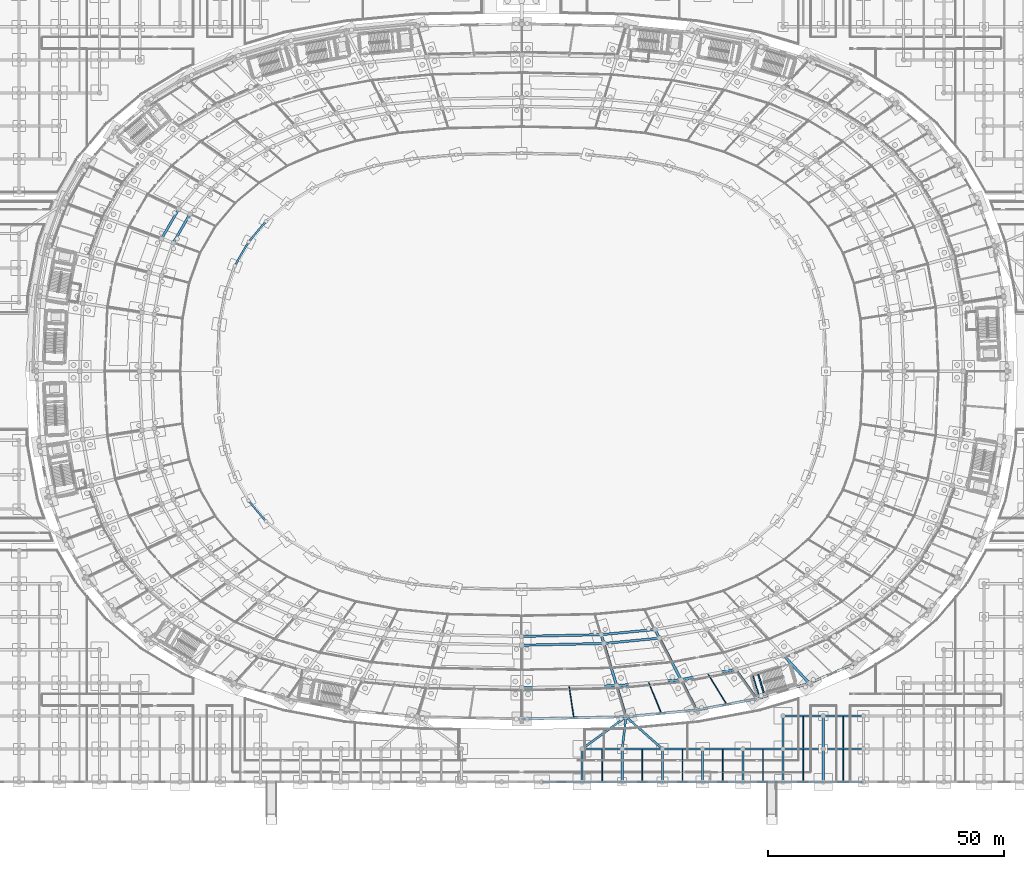
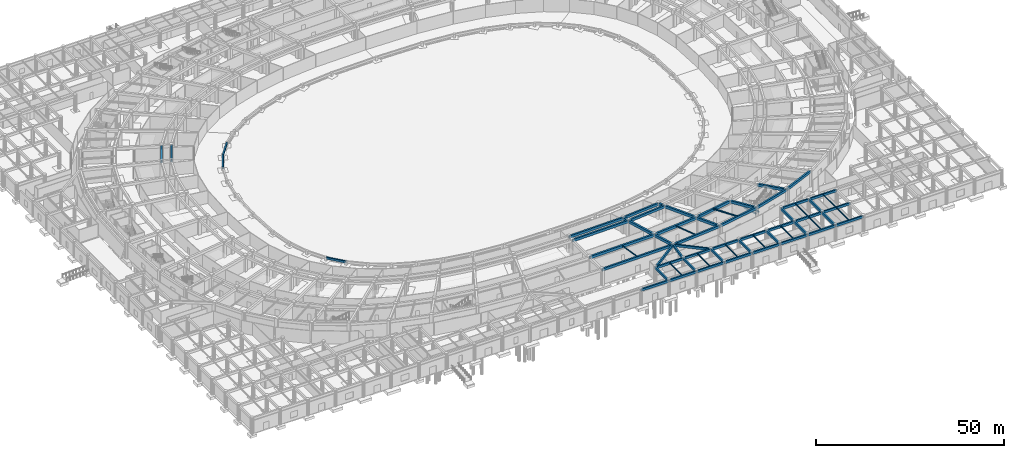
# One storey, part 29 of 88: 68 beams.
"""IFC4 building model written with IfcOpenShell, lengths in metres."""

import ifcopenshell
import ifcopenshell.guid

model = None  # the IFC model being written
_history = None  # IfcOwnerHistory: only IFC2X3 demands one
_inside = {}  # id of a spatial element -> (the spatial element, [elements in it])
_under = {}  # id of a project, library or spatial element -> (it, [spatial elements below it])
_declared = {}  # id of a project -> (the project, [libraries it declares])
_typed = {}  # id of a type object -> (the type object, [elements of that type])
_made_of = {}  # id of a material, layer set ... -> (it, [elements and type objects made of it])


def new_model(schema):
    """Start an empty IFC model of exactly this schema.

    Asked for "IFC4X3", IfcOpenShell would pick the latest addendum, in which some entities
    have other attributes; the version numbers below select the first issue.
    IFC2X3 requires an IfcOwnerHistory on every rooted entity: one is made here for all.
    """
    global model, _history
    if schema == "IFC4X3":
        model = ifcopenshell.file(schema_version=(4, 3, 0, 0))
    else:
        model = ifcopenshell.file(schema=schema)
    _inside.clear()
    _under.clear()
    _declared.clear()
    _typed.clear()
    _made_of.clear()
    _history = None
    if model.schema == "IFC2X3":
        org = make("IfcOrganization", Name="unknown")
        user = make(
            "IfcPersonAndOrganization",
            ThePerson=make("IfcPerson", FamilyName="unknown"),
            TheOrganization=org,
        )
        app = make(
            "IfcApplication",
            ApplicationDeveloper=org,
            Version="unknown",
            ApplicationFullName="unknown",
            ApplicationIdentifier="unknown",
        )
        _history = make(
            "IfcOwnerHistory",
            OwningUser=user,
            OwningApplication=app,
            ChangeAction="ADDED",
            CreationDate=0,
        )
    return model


def make(cls, **values):
    """One entity of the class cls with the attributes given. An attribute that is None is left unset."""
    return model.create_entity(
        cls, **{name: value for name, value in values.items() if value is not None}
    )


def rooted(cls, **values):
    """An entity with a GlobalId (a new one), such as an element, a storey or a relation."""
    return make(cls, GlobalId=ifcopenshell.guid.new(), OwnerHistory=_history, **values)


def si_unit(unit_type, name, prefix=None):
    """IfcSIUnit, for example si_unit("LENGTHUNIT", "METRE", prefix="MILLI")."""
    return make("IfcSIUnit", UnitType=unit_type, Prefix=prefix, Name=name)


def assignment(units):
    """IfcUnitAssignment: the units of a project."""
    return None if units is None else make("IfcUnitAssignment", Units=units)


def point(xyz):
    """IfcCartesianPoint."""
    return None if xyz is None else make("IfcCartesianPoint", Coordinates=xyz)


def direction(xyz):
    """IfcDirection."""
    return None if xyz is None else make("IfcDirection", DirectionRatios=xyz)


def frame(location, z_axis=None, x_axis=None):
    """IfcAxis2Placement3D, a coordinate frame: its origin and axes. An axis left out is left unset."""
    return make(
        "IfcAxis2Placement3D",
        Location=point(location),
        Axis=direction(z_axis),
        RefDirection=direction(x_axis),
    )


def frame_2d(location, x_axis=None):
    """IfcAxis2Placement2D, a coordinate frame in the plane: its origin and x axis."""
    return make(
        "IfcAxis2Placement2D", Location=point(location), RefDirection=direction(x_axis)
    )


def origin():
    """The frame at (0, 0, 0) with its axes left unset."""
    return frame((0.0, 0.0, 0.0))


def origin_2d():
    """The frame at (0, 0) in the plane with its x axis left unset."""
    return frame_2d((0.0, 0.0))


def place(relative_to, where):
    """IfcLocalPlacement: puts the frame where relative to a parent placement (None: the world)."""
    return make(
        "IfcLocalPlacement", PlacementRelTo=relative_to, RelativePlacement=where
    )


def context(
    kind, dimensions, precision=None, world=None, true_north=None, identifier=None
):
    """IfcGeometricRepresentationContext, for example the 3D "Model" context."""
    return make(
        "IfcGeometricRepresentationContext",
        ContextIdentifier=identifier,
        ContextType=kind,
        CoordinateSpaceDimension=dimensions,
        Precision=precision,
        WorldCoordinateSystem=world,
        TrueNorth=true_north,
    )


def subcontext(parent, identifier, kind, view, scale=None):
    """IfcGeometricRepresentationSubContext, for example "Body" below "Model"."""
    return make(
        "IfcGeometricRepresentationSubContext",
        ContextIdentifier=identifier,
        ContextType=kind,
        ParentContext=parent,
        TargetScale=scale,
        TargetView=view,
    )


def project(units=None, contexts=None):
    """IfcProject with its units and contexts."""
    return rooted(
        "IfcProject",
        Name="project",
        RepresentationContexts=contexts,
        UnitsInContext=assignment(units),
    )


def spatial(cls, under=None, at=None, **own):
    """A site, building, storey or space (cls), placed at a placement, below another one or the project."""
    s = rooted(cls, ObjectPlacement=at, **own)
    if under is not None:
        _under.setdefault(under.id(), (under, []))[1].append(s)
    return s


def profile(cls, at=None, kind="AREA", **sizes):
    """A parametric profile (cls). Its sizes go by their IFC names, for example OverallWidth=200.0."""
    return make(cls, ProfileType=kind, Position=at, **sizes)


def rectangle(**sizes):
    """IfcRectangleProfileDef."""
    return profile("IfcRectangleProfileDef", **sizes)


def i_section(**sizes):
    """IfcIShapeProfileDef."""
    return profile("IfcIShapeProfileDef", **sizes)


def extrude(swept, where, along, depth):
    """IfcExtrudedAreaSolid: the profile swept, set in the frame where, extruded along a direction by depth."""
    return make(
        "IfcExtrudedAreaSolid",
        SweptArea=swept,
        Position=where,
        ExtrudedDirection=direction(along),
        Depth=depth,
    )


def shape(context_of_items, identifier, shape_type, items):
    """IfcShapeRepresentation: the items that make up one representation, for example the "Body"."""
    return make(
        "IfcShapeRepresentation",
        ContextOfItems=context_of_items,
        RepresentationIdentifier=identifier,
        RepresentationType=shape_type,
        Items=items,
    )


def material(Name=None, Category=None):
    """IfcMaterial."""
    return make("IfcMaterial", Name=Name, Category=Category)


def material_profile(
    of_material, cross_section, Name=None, Category=None, Priority=None
):
    """IfcMaterialProfile: a cross section and its material."""
    return make(
        "IfcMaterialProfile",
        Name=Name,
        Material=of_material,
        Profile=cross_section,
        Priority=Priority,
        Category=Category,
    )


def profile_set(profiles, Name=None, composite=None):
    """IfcMaterialProfileSet."""
    return make(
        "IfcMaterialProfileSet",
        Name=Name,
        MaterialProfiles=profiles,
        CompositeProfile=composite,
    )


def made_of(thing, what):
    """Note that an element or type object is made of a material, layer set ...; save() writes the relation."""
    if what is not None:
        _made_of.setdefault(what.id(), (what, []))[1].append(thing)
    return thing


def type_object(cls, material=None, **own):
    """A type object (cls), such as IfcWallType, which elements share."""
    return made_of(rooted(cls, **own), material)


def element(
    cls,
    number,
    at=None,
    inside=None,
    cuts=None,
    type_object=None,
    material=None,
    context=None,
    identifier="Body",
    shape_type=None,
    held_by="IfcProductDefinitionShape",
    body=None,
    shapes=None,
    **own,
):
    """One element of the class cls, such as IfcWall. Its Tag is "e" and its number.

    at: its placement. inside: the storey or other place that contains it. cuts: it is an
    opening in that element (IfcRelVoidsElement). A single representation is given by context,
    identifier, shape_type and body (its items); several are given by shapes. held_by: the class
    of the entity that holds the representations. save() writes the other relations.
    """
    e = rooted(cls, Tag="e%d" % number, ObjectPlacement=at, **own)
    if body is not None:
        shapes = [shape(context, identifier, shape_type, body)]
    if shapes is not None:
        e.Representation = make(held_by, Representations=shapes)
    if inside is not None:
        _inside.setdefault(inside.id(), (inside, []))[1].append(e)
    if cuts is not None:
        rooted(
            "IfcRelVoidsElement", RelatingBuildingElement=cuts, RelatedOpeningElement=e
        )
    if type_object is not None:
        _typed.setdefault(type_object.id(), (type_object, []))[1].append(e)
    return made_of(e, material)


def aggregate(whole, parts):
    """IfcRelAggregates: a whole, such as a stair, and the parts it consists of."""
    return rooted("IfcRelAggregates", RelatingObject=whole, RelatedObjects=parts)


def save(model, path):
    """Write the relations noted so far, then the file.

    IfcRelAggregates (storeys below a building ...), IfcRelContainedInSpatialStructure (elements
    in a storey), IfcRelDefinesByType, IfcRelAssociatesMaterial and IfcRelDeclares: one each for
    every whole, place, type object, material and project.
    """
    for whole, parts in _under.values():
        aggregate(whole, parts)
    for where, things in _inside.values():
        rooted(
            "IfcRelContainedInSpatialStructure",
            RelatedElements=things,
            RelatingStructure=where,
        )
    for kind, things in _typed.values():
        rooted("IfcRelDefinesByType", RelatedObjects=things, RelatingType=kind)
    for what, things in _made_of.values():
        rooted("IfcRelAssociatesMaterial", RelatedObjects=things, RelatingMaterial=what)
    for by, libraries in _declared.values():
        rooted("IfcRelDeclares", RelatingContext=by, RelatedDefinitions=libraries)
    model.write(path)


model = new_model("IFC4")

# Units and contexts
model_context = context("Model", 3, precision=1e-05, world=origin(), true_north=direction((0.0, 1.0)))
body_context = subcontext(model_context, "Body", "Model", "MODEL_VIEW")
ifc_project = project(units=[si_unit("LENGTHUNIT", "METRE"), si_unit("AREAUNIT", "SQUARE_METRE"), si_unit("VOLUMEUNIT", "CUBIC_METRE"), si_unit("PLANEANGLEUNIT", "RADIAN"), si_unit("MASSUNIT", "GRAM", prefix="KILO")], contexts=[model_context])

# Site, building, storey
site_placement = place(None, origin())
site = spatial("IfcSite", under=ifc_project, at=site_placement, CompositionType="ELEMENT")
building_placement = place(site_placement, origin())
building = spatial("IfcBuilding", under=site, at=building_placement, Name="Mphavela Belvedere Stadium", CompositionType="ELEMENT")
storey_placement = place(building_placement, origin())
storey = spatial("IfcBuildingStorey", under=building, at=storey_placement, Name="L00", CompositionType="ELEMENT", Elevation=0.0)

# Beams
ifc_material_1 = material(Name="Steel S355", Category="steel")
ifc_material_profile_1 = material_profile(ifc_material_1, i_section(OverallWidth=0.169921875, OverallDepth=0.360107421875, WebThickness=0.008056640625, FlangeThickness=0.0126953125, at=origin_2d()), Name="IPE 360")
ifc_profile_set_1 = profile_set([ifc_material_profile_1], Name="Steel S355")
beam_type_1 = type_object("IfcBeamType", Name="BM-JOIST-IPE360", PredefinedType="JOIST", material=ifc_profile_set_1)
beam_1_placement = place(storey_placement, frame((125.06640625, 20.1494140625, 4.969970703125), z_axis=(0.14889470473, -0.988853056274, 0.0), x_axis=(0.988853056274, 0.14889470473, 0.0)))
element("IfcBeam", 1, at=beam_1_placement, inside=storey, type_object=beam_type_1, Name="Concourse floor joist L00-37", PredefinedType="JOIST", context=body_context, shape_type="SweptSolid", body=[
    extrude(i_section(OverallWidth=0.169921875, OverallDepth=0.360107421875, WebThickness=0.008056640625, FlangeThickness=0.0126953125, at=origin_2d()), origin(), (0.0, 0.0, 1.0), 6.655517578125),
])
beam_2_placement = place(storey_placement, frame((154.544189453125, 22.743408203125, 4.969970703125), z_axis=(0.524121267204, -0.851643644528, 0.0), x_axis=(0.851643644528, 0.524121267204, 0.0)))
element("IfcBeam", 2, at=beam_2_placement, inside=storey, type_object=beam_type_1, Name="Concourse floor joist L00-39", PredefinedType="JOIST", context=body_context, shape_type="SweptSolid", body=[
    extrude(i_section(OverallWidth=0.169921875, OverallDepth=0.360107421875, WebThickness=0.008056640625, FlangeThickness=0.0126953125, at=origin_2d()), origin(), (0.0, 0.0, 1.0), 7.42724609375),
])
for number, where, z_axis, x_axis, name in (
    (3, (132.037109375, 0.22509765625, 4.9599609375), (0.0, 1.0, 0.0), (-1.0, 0.0, 0.0), "South Axial Triumphal Peristyle Portico secondary joist L00 16-1"),
    (4, (140.555419921875, 0.22509765625, 4.9599609375), (0.0, 1.0, 0.0), (-1.0, 0.0, 0.0), "South Axial Triumphal Peristyle Portico secondary joist L00 17-1"),
    (5, (149.073974609375, 0.22509765625, 4.9599609375), (0.0, 1.0, 0.0), (-1.0, 0.0, 0.0), "South Axial Triumphal Peristyle Portico secondary joist L00 18-1"),
    (6, (157.592529296875, 0.22509765625, 4.9599609375), (0.0, 1.0, 0.0), (-1.0, 0.0, 0.0), "South Axial Triumphal Peristyle Portico secondary joist L00 19-1"),
    (7, (166.111083984375, 0.22509765625, 4.9599609375), (0.0, 1.0, 0.0), (-1.0, 0.0, 0.0), "South Axial Triumphal Peristyle Portico secondary joist L00 20-1"),
    (8, (174.62939453125, 0.22509765625, 4.9599609375), (0.0, 1.0, 0.0), (-1.0, 0.0, 0.0), "South Axial Triumphal Peristyle Portico secondary joist L00 21-1"),
    (9, (174.62939453125, 7.22509765625, 4.9599609375), (0.0, 1.0, 0.0), (-1.0, 0.0, 0.0), "South Axial Triumphal Peristyle Portico secondary joist L00 21-2"),
    (10, (183.14794921875, 0.22509765625, 4.9599609375), (0.0, 1.0, 0.0), (-1.0, 0.0, 0.0), "South Axial Triumphal Peristyle Portico secondary joist L00 22-1"),
    (11, (183.14794921875, 7.22509765625, 4.9599609375), (0.0, 1.0, 0.0), (-1.0, 0.0, 0.0), "South Axial Triumphal Peristyle Portico secondary joist L00 22-2"),
):
    element("IfcBeam", number, at=place(storey_placement, frame(where, z_axis=z_axis, x_axis=x_axis)), inside=storey, type_object=beam_type_1, Name=name, PredefinedType="JOIST", context=body_context, shape_type="SweptSolid", body=[
        extrude(i_section(OverallWidth=0.169921875, OverallDepth=0.360107421875, WebThickness=0.008056640625, FlangeThickness=0.0126953125, at=origin_2d()), origin(), (0.0, 0.0, 1.0), 6.5498046875),
    ])
ifc_material_2 = material(Name="Steel S355", Category="steel")
ifc_material_profile_2 = material_profile(ifc_material_2, i_section(OverallWidth=0.179931640625, OverallDepth=0.39990234375, WebThickness=0.008544921875, FlangeThickness=0.013427734375, at=origin_2d()), Name="IPE 400")
ifc_profile_set_2 = profile_set([ifc_material_profile_2], Name="Steel S355")
beam_type_2 = type_object("IfcBeamType", Name="BM-JOIST-IPE400", PredefinedType="JOIST", material=ifc_profile_set_2)
beam_3_placement = place(storey_placement, frame((141.94140625, 21.015380859375, 4.949951171875), z_axis=(0.378004122754, -0.925803911841, 0.0), x_axis=(0.925803911841, 0.378004122754, 0.0)))
element("IfcBeam", 12, at=beam_3_placement, inside=storey, type_object=beam_type_2, Name="Concourse floor joist L00-38", PredefinedType="JOIST", context=body_context, shape_type="SweptSolid", body=[
    extrude(i_section(OverallWidth=0.179931640625, OverallDepth=0.39990234375, WebThickness=0.008544921875, FlangeThickness=0.013427734375, at=origin_2d()), origin(), (0.0, 0.0, 1.0), 7.0166015625),
])
ifc_material_3 = material(Name="Concrete C40/50", Category="concrete")
ifc_material_profile_3 = material_profile(ifc_material_3, rectangle(XDim=0.300048828125, YDim=0.449951171875, at=origin_2d()), Name="RC 300x450")
ifc_profile_set_3 = profile_set([ifc_material_profile_3], Name="Concrete C40/50")
beam_type_3 = type_object("IfcBeamType", Name="BM-RC300x450", PredefinedType="BEAM", material=ifc_profile_set_3)
beam_4_placement = place(storey_placement, frame((165.05419921875, 23.027099609375, 2.27490234375), z_axis=(0.284510445837, -0.958672940168, 0.0), x_axis=(0.958672940168, 0.284510445837, 0.0)))
element("IfcBeam", 13, at=beam_4_placement, inside=storey, type_object=beam_type_3, Name="Core P04 landing trimmer beam L00-1", PredefinedType="BEAM", context=body_context, shape_type="SweptSolid", body=[
    extrude(rectangle(XDim=0.300048828125, YDim=0.449951171875, at=origin_2d()), origin(), (0.0, 0.0, 1.0), 4.469970703125),
])
beam_5_placement = place(storey_placement, frame((163.90380859375, 22.685791015625, 2.27490234375), z_axis=(0.284495549112, -0.958677361022, 0.0), x_axis=(0.958677361022, 0.284495549112, 0.0)))
element("IfcBeam", 14, at=beam_5_placement, inside=storey, type_object=beam_type_3, Name="Core P04 landing trimmer beam L00-2", PredefinedType="BEAM", context=body_context, shape_type="SweptSolid", body=[
    extrude(rectangle(XDim=0.300048828125, YDim=0.449951171875, at=origin_2d()), origin(), (0.0, 0.0, 1.0), 4.47021484375),
])
ifc_material_4 = material(Name="Concrete C40/50", Category="concrete")
ifc_material_profile_4 = material_profile(ifc_material_4, rectangle(XDim=0.39990234375, YDim=0.64990234375, at=origin_2d()), Name="RC 400x650")
ifc_profile_set_4 = profile_set([ifc_material_profile_4], Name="Concrete C40/50")
beam_type_4 = type_object("IfcBeamType", Name="BM-RC400x650", PredefinedType="BEAM", material=ifc_profile_set_4)
beam_6_placement = place(storey_placement, frame((60.8349609375, 118.77783203125, 0.824951171875), z_axis=(-0.645177508065, -0.764032710744, 0.0), x_axis=(0.764032710744, -0.645177508065, 0.0)))
element("IfcBeam", 15, at=beam_6_placement, inside=storey, type_object=beam_type_4, Name="Lower tier plinth ring beam 20", PredefinedType="BEAM", context=body_context, shape_type="SweptSolid", body=[
    extrude(rectangle(XDim=0.39990234375, YDim=0.64990234375, at=origin_2d()), origin(), (0.0, 0.0, 1.0), 5.7412109375),
])
beam_7_placement = place(storey_placement, frame((57.130859375, 114.391357421875, 0.824951171875), z_axis=(-0.500538549493, -0.86571424874, 0.0), x_axis=(0.86571424874, -0.500538549493, 0.0)))
element("IfcBeam", 16, at=beam_7_placement, inside=storey, type_object=beam_type_4, Name="Lower tier plinth ring beam 21", PredefinedType="BEAM", context=body_context, shape_type="SweptSolid", body=[
    extrude(rectangle(XDim=0.39990234375, YDim=0.64990234375, at=origin_2d()), origin(), (0.0, 0.0, 1.0), 5.7822265625),
])
beam_8_placement = place(storey_placement, frame((57.130859375, 59.608642578125, 0.824951171875), z_axis=(0.645177508065, -0.764032710744, 0.0), x_axis=(0.764032710744, 0.645177508065, 0.0)))
element("IfcBeam", 17, at=beam_8_placement, inside=storey, type_object=beam_type_4, Name="Lower tier plinth ring beam 29", PredefinedType="BEAM", context=body_context, shape_type="SweptSolid", body=[
    extrude(rectangle(XDim=0.39990234375, YDim=0.64990234375, at=origin_2d()), origin(), (0.0, 0.0, 1.0), 5.7412109375),
])
ifc_material_5 = material(Name="Concrete C40/50", Category="concrete")
ifc_material_profile_5 = material_profile(ifc_material_5, rectangle(XDim=0.449951171875, YDim=0.75, at=origin_2d()), Name="RC 450x750")
ifc_profile_set_5 = profile_set([ifc_material_profile_5], Name="Concrete C40/50")
beam_type_5 = type_object("IfcBeamType", Name="BM-RC450x750", PredefinedType="BEAM", material=ifc_profile_set_5)
beam_9_placement = place(storey_placement, frame((119.259033203125, 0.0, 4.764892578125), z_axis=(1.0, 0.0, 0.0), x_axis=(0.0, 1.0, 0.0)))
element("IfcBeam", 18, at=beam_9_placement, inside=storey, type_object=beam_type_5, Name="South Axial Triumphal Peristyle Portico entablature beam X L00 15-1", PredefinedType="BEAM", context=body_context, shape_type="SweptSolid", body=[
    extrude(rectangle(XDim=0.449951171875, YDim=0.75, at=origin_2d()), origin(), (0.0, 0.0, 1.0), 8.51904296875),
])
beam_10_placement = place(storey_placement, frame((127.778076171875, 0.0, 4.764892578125), z_axis=(1.0, 0.0, 0.0), x_axis=(0.0, 1.0, 0.0)))
element("IfcBeam", 19, at=beam_10_placement, inside=storey, type_object=beam_type_5, Name="South Axial Triumphal Peristyle Portico entablature beam X L00 16-1", PredefinedType="BEAM", context=body_context, shape_type="SweptSolid", body=[
    extrude(rectangle(XDim=0.449951171875, YDim=0.75, at=origin_2d()), origin(), (0.0, 0.0, 1.0), 8.517822265625),
])
beam_11_placement = place(storey_placement, frame((127.778076171875, 0.0, 4.764892578125), z_axis=(0.0, 1.0, 0.0), x_axis=(-1.0, 0.0, 0.0)))
element("IfcBeam", 20, at=beam_11_placement, inside=storey, type_object=beam_type_5, Name="South Axial Triumphal Peristyle Portico entablature beam Y L00 16-1", PredefinedType="BEAM", context=body_context, shape_type="SweptSolid", body=[
    extrude(rectangle(XDim=0.449951171875, YDim=0.75, at=origin_2d()), origin(), (0.0, 0.0, 1.0), 7.0),
])
beam_12_placement = place(storey_placement, frame((127.778076171875, 7.0, 4.764892578125), z_axis=(1.0, 0.0, 0.0), x_axis=(0.0, 1.0, 0.0)))
element("IfcBeam", 21, at=beam_12_placement, inside=storey, type_object=beam_type_5, Name="South Axial Triumphal Peristyle Portico entablature beam X L00 16-2", PredefinedType="BEAM", context=body_context, shape_type="SweptSolid", body=[
    extrude(rectangle(XDim=0.449951171875, YDim=0.75, at=origin_2d()), origin(), (0.0, 0.0, 1.0), 8.517822265625),
])
beam_13_placement = place(storey_placement, frame((136.2958984375, 0.0, 4.764892578125), z_axis=(1.0, 0.0, 0.0), x_axis=(0.0, 1.0, 0.0)))
element("IfcBeam", 22, at=beam_13_placement, inside=storey, type_object=beam_type_5, Name="South Axial Triumphal Peristyle Portico entablature beam X L00 17-1", PredefinedType="BEAM", context=body_context, shape_type="SweptSolid", body=[
    extrude(rectangle(XDim=0.449951171875, YDim=0.75, at=origin_2d()), origin(), (0.0, 0.0, 1.0), 8.51904296875),
])
beam_14_placement = place(storey_placement, frame((136.2958984375, 0.0, 4.764892578125), z_axis=(0.0, 1.0, 0.0), x_axis=(-1.0, 0.0, 0.0)))
element("IfcBeam", 23, at=beam_14_placement, inside=storey, type_object=beam_type_5, Name="South Axial Triumphal Peristyle Portico entablature beam Y L00 17-1", PredefinedType="BEAM", context=body_context, shape_type="SweptSolid", body=[
    extrude(rectangle(XDim=0.449951171875, YDim=0.75, at=origin_2d()), origin(), (0.0, 0.0, 1.0), 7.0),
])
beam_15_placement = place(storey_placement, frame((136.2958984375, 7.0, 4.764892578125), z_axis=(1.0, 0.0, 0.0), x_axis=(0.0, 1.0, 0.0)))
element("IfcBeam", 24, at=beam_15_placement, inside=storey, type_object=beam_type_5, Name="South Axial Triumphal Peristyle Portico entablature beam X L00 17-2", PredefinedType="BEAM", context=body_context, shape_type="SweptSolid", body=[
    extrude(rectangle(XDim=0.449951171875, YDim=0.75, at=origin_2d()), origin(), (0.0, 0.0, 1.0), 8.51904296875),
])
beam_16_placement = place(storey_placement, frame((144.81494140625, 0.0, 4.764892578125), z_axis=(1.0, 0.0, 0.0), x_axis=(0.0, 1.0, 0.0)))
element("IfcBeam", 25, at=beam_16_placement, inside=storey, type_object=beam_type_5, Name="South Axial Triumphal Peristyle Portico entablature beam X L00 18-1", PredefinedType="BEAM", context=body_context, shape_type="SweptSolid", body=[
    extrude(rectangle(XDim=0.449951171875, YDim=0.75, at=origin_2d()), origin(), (0.0, 0.0, 1.0), 8.51806640625),
])
beam_17_placement = place(storey_placement, frame((144.81494140625, 0.0, 4.764892578125), z_axis=(0.0, 1.0, 0.0), x_axis=(-1.0, 0.0, 0.0)))
element("IfcBeam", 26, at=beam_17_placement, inside=storey, type_object=beam_type_5, Name="South Axial Triumphal Peristyle Portico entablature beam Y L00 18-1", PredefinedType="BEAM", context=body_context, shape_type="SweptSolid", body=[
    extrude(rectangle(XDim=0.449951171875, YDim=0.75, at=origin_2d()), origin(), (0.0, 0.0, 1.0), 7.0),
])
beam_18_placement = place(storey_placement, frame((144.81494140625, 7.0, 4.764892578125), z_axis=(1.0, 0.0, 0.0), x_axis=(0.0, 1.0, 0.0)))
element("IfcBeam", 27, at=beam_18_placement, inside=storey, type_object=beam_type_5, Name="South Axial Triumphal Peristyle Portico entablature beam X L00 18-2", PredefinedType="BEAM", context=body_context, shape_type="SweptSolid", body=[
    extrude(rectangle(XDim=0.449951171875, YDim=0.75, at=origin_2d()), origin(), (0.0, 0.0, 1.0), 8.51806640625),
])
beam_19_placement = place(storey_placement, frame((153.3330078125, 0.0, 4.764892578125), z_axis=(1.0, 0.0, 0.0), x_axis=(0.0, 1.0, 0.0)))
element("IfcBeam", 28, at=beam_19_placement, inside=storey, type_object=beam_type_5, Name="South Axial Triumphal Peristyle Portico entablature beam X L00 19-1", PredefinedType="BEAM", context=body_context, shape_type="SweptSolid", body=[
    extrude(rectangle(XDim=0.449951171875, YDim=0.75, at=origin_2d()), origin(), (0.0, 0.0, 1.0), 8.51904296875),
])
beam_20_placement = place(storey_placement, frame((153.3330078125, 0.0, 4.764892578125), z_axis=(0.0, 1.0, 0.0), x_axis=(-1.0, 0.0, 0.0)))
element("IfcBeam", 29, at=beam_20_placement, inside=storey, type_object=beam_type_5, Name="South Axial Triumphal Peristyle Portico entablature beam Y L00 19-1", PredefinedType="BEAM", context=body_context, shape_type="SweptSolid", body=[
    extrude(rectangle(XDim=0.449951171875, YDim=0.75, at=origin_2d()), origin(), (0.0, 0.0, 1.0), 7.0),
])
beam_21_placement = place(storey_placement, frame((153.3330078125, 7.0, 4.764892578125), z_axis=(1.0, 0.0, 0.0), x_axis=(0.0, 1.0, 0.0)))
element("IfcBeam", 30, at=beam_21_placement, inside=storey, type_object=beam_type_5, Name="South Axial Triumphal Peristyle Portico entablature beam X L00 19-2", PredefinedType="BEAM", context=body_context, shape_type="SweptSolid", body=[
    extrude(rectangle(XDim=0.449951171875, YDim=0.75, at=origin_2d()), origin(), (0.0, 0.0, 1.0), 8.51904296875),
])
beam_22_placement = place(storey_placement, frame((161.85205078125, 0.0, 4.764892578125), z_axis=(1.0, 0.0, 0.0), x_axis=(0.0, 1.0, 0.0)))
element("IfcBeam", 31, at=beam_22_placement, inside=storey, type_object=beam_type_5, Name="South Axial Triumphal Peristyle Portico entablature beam X L00 20-1", PredefinedType="BEAM", context=body_context, shape_type="SweptSolid", body=[
    extrude(rectangle(XDim=0.449951171875, YDim=0.75, at=origin_2d()), origin(), (0.0, 0.0, 1.0), 8.51806640625),
])
beam_23_placement = place(storey_placement, frame((161.85205078125, 0.0, 4.764892578125), z_axis=(0.0, 1.0, 0.0), x_axis=(-1.0, 0.0, 0.0)))
element("IfcBeam", 32, at=beam_23_placement, inside=storey, type_object=beam_type_5, Name="South Axial Triumphal Peristyle Portico entablature beam Y L00 20-1", PredefinedType="BEAM", context=body_context, shape_type="SweptSolid", body=[
    extrude(rectangle(XDim=0.449951171875, YDim=0.75, at=origin_2d()), origin(), (0.0, 0.0, 1.0), 7.0),
])
beam_24_placement = place(storey_placement, frame((161.85205078125, 7.0, 4.764892578125), z_axis=(1.0, 0.0, 0.0), x_axis=(0.0, 1.0, 0.0)))
element("IfcBeam", 33, at=beam_24_placement, inside=storey, type_object=beam_type_5, Name="South Axial Triumphal Peristyle Portico entablature beam X L00 20-2", PredefinedType="BEAM", context=body_context, shape_type="SweptSolid", body=[
    extrude(rectangle(XDim=0.449951171875, YDim=0.75, at=origin_2d()), origin(), (0.0, 0.0, 1.0), 8.51806640625),
])
beam_25_placement = place(storey_placement, frame((170.3701171875, 0.0, 4.764892578125), z_axis=(1.0, 0.0, 0.0), x_axis=(0.0, 1.0, 0.0)))
element("IfcBeam", 34, at=beam_25_placement, inside=storey, type_object=beam_type_5, Name="South Axial Triumphal Peristyle Portico entablature beam X L00 21-1", PredefinedType="BEAM", context=body_context, shape_type="SweptSolid", body=[
    extrude(rectangle(XDim=0.449951171875, YDim=0.75, at=origin_2d()), origin(), (0.0, 0.0, 1.0), 8.518798828125),
])
beam_26_placement = place(storey_placement, frame((170.3701171875, 0.0, 4.764892578125), z_axis=(0.0, 1.0, 0.0), x_axis=(-1.0, 0.0, 0.0)))
element("IfcBeam", 35, at=beam_26_placement, inside=storey, type_object=beam_type_5, Name="South Axial Triumphal Peristyle Portico entablature beam Y L00 21-1", PredefinedType="BEAM", context=body_context, shape_type="SweptSolid", body=[
    extrude(rectangle(XDim=0.449951171875, YDim=0.75, at=origin_2d()), origin(), (0.0, 0.0, 1.0), 7.0),
])
beam_27_placement = place(storey_placement, frame((170.3701171875, 7.0, 4.764892578125), z_axis=(1.0, 0.0, 0.0), x_axis=(0.0, 1.0, 0.0)))
element("IfcBeam", 36, at=beam_27_placement, inside=storey, type_object=beam_type_5, Name="South Axial Triumphal Peristyle Portico entablature beam X L00 21-2", PredefinedType="BEAM", context=body_context, shape_type="SweptSolid", body=[
    extrude(rectangle(XDim=0.449951171875, YDim=0.75, at=origin_2d()), origin(), (0.0, 0.0, 1.0), 8.518798828125),
])
beam_28_placement = place(storey_placement, frame((170.3701171875, 7.0, 4.764892578125), z_axis=(0.0, 1.0, 0.0), x_axis=(-1.0, 0.0, 0.0)))
element("IfcBeam", 37, at=beam_28_placement, inside=storey, type_object=beam_type_5, Name="South Axial Triumphal Peristyle Portico entablature beam Y L00 21-2", PredefinedType="BEAM", context=body_context, shape_type="SweptSolid", body=[
    extrude(rectangle(XDim=0.449951171875, YDim=0.75, at=origin_2d()), origin(), (0.0, 0.0, 1.0), 7.0),
])
beam_29_placement = place(storey_placement, frame((170.3701171875, 14.0, 4.764892578125), z_axis=(1.0, 0.0, 0.0), x_axis=(0.0, 1.0, 0.0)))
element("IfcBeam", 38, at=beam_29_placement, inside=storey, type_object=beam_type_5, Name="South Axial Triumphal Peristyle Portico entablature beam X L00 21-3", PredefinedType="BEAM", context=body_context, shape_type="SweptSolid", body=[
    extrude(rectangle(XDim=0.449951171875, YDim=0.75, at=origin_2d()), origin(), (0.0, 0.0, 1.0), 8.518798828125),
])
beam_30_placement = place(storey_placement, frame((178.888916015625, 0.0, 4.764892578125), z_axis=(1.0, 0.0, 0.0), x_axis=(0.0, 1.0, 0.0)))
element("IfcBeam", 39, at=beam_30_placement, inside=storey, type_object=beam_type_5, Name="South Axial Triumphal Peristyle Portico entablature beam X L00 22-1", PredefinedType="BEAM", context=body_context, shape_type="SweptSolid", body=[
    extrude(rectangle(XDim=0.449951171875, YDim=0.75, at=origin_2d()), origin(), (0.0, 0.0, 1.0), 8.51806640625),
])
beam_31_placement = place(storey_placement, frame((178.888916015625, 0.0, 4.764892578125), z_axis=(0.0, 1.0, 0.0), x_axis=(-1.0, 0.0, 0.0)))
element("IfcBeam", 40, at=beam_31_placement, inside=storey, type_object=beam_type_5, Name="South Axial Triumphal Peristyle Portico entablature beam Y L00 22-1", PredefinedType="BEAM", context=body_context, shape_type="SweptSolid", body=[
    extrude(rectangle(XDim=0.449951171875, YDim=0.75, at=origin_2d()), origin(), (0.0, 0.0, 1.0), 7.0),
])
beam_32_placement = place(storey_placement, frame((178.888916015625, 7.0, 4.764892578125), z_axis=(1.0, 0.0, 0.0), x_axis=(0.0, 1.0, 0.0)))
element("IfcBeam", 41, at=beam_32_placement, inside=storey, type_object=beam_type_5, Name="South Axial Triumphal Peristyle Portico entablature beam X L00 22-2", PredefinedType="BEAM", context=body_context, shape_type="SweptSolid", body=[
    extrude(rectangle(XDim=0.449951171875, YDim=0.75, at=origin_2d()), origin(), (0.0, 0.0, 1.0), 8.51806640625),
])
beam_33_placement = place(storey_placement, frame((178.888916015625, 7.0, 4.764892578125), z_axis=(0.0, 1.0, 0.0), x_axis=(-1.0, 0.0, 0.0)))
element("IfcBeam", 42, at=beam_33_placement, inside=storey, type_object=beam_type_5, Name="South Axial Triumphal Peristyle Portico entablature beam Y L00 22-2", PredefinedType="BEAM", context=body_context, shape_type="SweptSolid", body=[
    extrude(rectangle(XDim=0.449951171875, YDim=0.75, at=origin_2d()), origin(), (0.0, 0.0, 1.0), 7.0),
])
beam_34_placement = place(storey_placement, frame((178.888916015625, 14.0, 4.764892578125), z_axis=(1.0, 0.0, 0.0), x_axis=(0.0, 1.0, 0.0)))
element("IfcBeam", 43, at=beam_34_placement, inside=storey, type_object=beam_type_5, Name="South Axial Triumphal Peristyle Portico entablature beam X L00 22-3", PredefinedType="BEAM", context=body_context, shape_type="SweptSolid", body=[
    extrude(rectangle(XDim=0.449951171875, YDim=0.75, at=origin_2d()), origin(), (0.0, 0.0, 1.0), 8.51806640625),
])
beam_35_placement = place(storey_placement, frame((127.778076171875, 7.0, 4.764892578125), z_axis=(0.808075844415, 0.589078457994, 0.0), x_axis=(-0.589078457994, 0.808075844415, 0.0)))
element("IfcBeam", 44, at=beam_35_placement, inside=storey, type_object=beam_type_5, Name="South Axial Triumphal Peristyle Portico bowl link girder L00-2", PredefinedType="BEAM", context=body_context, shape_type="SweptSolid", body=[
    extrude(rectangle(XDim=0.449951171875, YDim=0.75, at=origin_2d()), origin(), (0.0, 0.0, 1.0), 11.553955078125),
])
beam_36_placement = place(storey_placement, frame((136.2958984375, 7.0, 4.764892578125), z_axis=(0.119413444072, 0.99284461492, 0.0), x_axis=(-0.99284461492, 0.119413444072, 0.0)))
element("IfcBeam", 45, at=beam_36_placement, inside=storey, type_object=beam_type_5, Name="South Axial Triumphal Peristyle Portico bowl link girder L00-4", PredefinedType="BEAM", context=body_context, shape_type="SweptSolid", body=[
    extrude(rectangle(XDim=0.449951171875, YDim=0.75, at=origin_2d()), origin(), (0.0, 0.0, 1.0), 6.855224609375),
])
beam_37_placement = place(storey_placement, frame((144.81494140625, 7.0, 4.764892578125), z_axis=(-0.749275353375, 0.662258593621, 0.0), x_axis=(-0.662258593621, -0.749275353375, 0.0)))
element("IfcBeam", 46, at=beam_37_placement, inside=storey, type_object=beam_type_5, Name="South Axial Triumphal Peristyle Portico bowl link girder L00-6", PredefinedType="BEAM", context=body_context, shape_type="SweptSolid", body=[
    extrude(rectangle(XDim=0.449951171875, YDim=0.75, at=origin_2d()), origin(), (0.0, 0.0, 1.0), 10.277099609375),
])
ifc_material_6 = material(Name="Concrete C40/50", Category="concrete")
ifc_material_profile_6 = material_profile(ifc_material_6, rectangle(XDim=0.5, YDim=0.800048828125, at=origin_2d()), Name="RC 500x800")
ifc_profile_set_6 = profile_set([ifc_material_profile_6], Name="Concrete C40/50")
beam_type_6 = type_object("IfcBeamType", Name="BM-RC500x800", PredefinedType="BEAM", material=ifc_profile_set_6)
beam_38_placement = place(storey_placement, frame((44.68701171875, 120.281494140625, 4.75), z_axis=(-0.500559513075, -0.86570212768, 0.0), x_axis=(0.86570212768, -0.500559513075, 0.0)))
element("IfcBeam", 47, at=beam_38_placement, inside=storey, type_object=beam_type_6, Name="Circumferential girder L00 R1-21", PredefinedType="BEAM", context=body_context, shape_type="SweptSolid", body=[
    extrude(rectangle(XDim=0.5, YDim=0.800048828125, at=origin_2d()), origin(), (0.0, 0.0, 1.0), 7.02587890625),
])
beam_39_placement = place(storey_placement, frame((42.33740234375, 121.393798828125, 4.75), z_axis=(-0.500568314135, -0.86569703874, 0.0), x_axis=(0.86569703874, -0.500568314135, 0.0)))
element("IfcBeam", 48, at=beam_39_placement, inside=storey, type_object=beam_type_6, Name="Circumferential girder L00 R2-21", PredefinedType="BEAM", context=body_context, shape_type="SweptSolid", body=[
    extrude(rectangle(XDim=0.5, YDim=0.800048828125, at=origin_2d()), origin(), (0.0, 0.0, 1.0), 7.2607421875),
])
beam_40_placement = place(storey_placement, frame((115.0, 30.843994140625, 4.75), z_axis=(0.9997681798, 0.021531062658, 0.0), x_axis=(-0.021531062658, 0.9997681798, 0.0)))
element("IfcBeam", 49, at=beam_40_placement, inside=storey, type_object=beam_type_6, Name="Circumferential girder L00 R1-37", PredefinedType="BEAM", context=body_context, shape_type="SweptSolid", body=[
    extrude(rectangle(XDim=0.5, YDim=0.800048828125, at=origin_2d()), origin(), (0.0, 0.0, 1.0), 16.861083984375),
])
beam_41_placement = place(storey_placement, frame((115.0, 28.967529296875, 4.75), z_axis=(0.999768385959, 0.021521487805, 0.0), x_axis=(-0.021521487805, 0.999768385959, 0.0)))
element("IfcBeam", 50, at=beam_41_placement, inside=storey, type_object=beam_type_6, Name="Circumferential girder L00 R2-37", PredefinedType="BEAM", context=body_context, shape_type="SweptSolid", body=[
    extrude(rectangle(XDim=0.5, YDim=0.800048828125, at=origin_2d()), origin(), (0.0, 0.0, 1.0), 17.424560546875),
])
beam_42_placement = place(storey_placement, frame((131.857177734375, 31.20703125, 4.75), z_axis=(0.995485216305, 0.094916722014, 0.0), x_axis=(-0.094916722014, 0.995485216305, 0.0)))
element("IfcBeam", 51, at=beam_42_placement, inside=storey, type_object=beam_type_6, Name="Circumferential girder L00 R1-38", PredefinedType="BEAM", context=body_context, shape_type="SweptSolid", body=[
    extrude(rectangle(XDim=0.5, YDim=0.800048828125, at=origin_2d()), origin(), (0.0, 0.0, 1.0), 11.453857421875),
])
beam_43_placement = place(storey_placement, frame((132.42041015625, 29.342529296875, 4.75), z_axis=(0.9954829494, 0.094940494283, 0.0), x_axis=(-0.094940494283, 0.9954829494, 0.0)))
element("IfcBeam", 52, at=beam_43_placement, inside=storey, type_object=beam_type_6, Name="Circumferential girder L00 R2-38", PredefinedType="BEAM", context=body_context, shape_type="SweptSolid", body=[
    extrude(rectangle(XDim=0.5, YDim=0.800048828125, at=origin_2d()), origin(), (0.0, 0.0, 1.0), 11.836669921875),
])
ifc_material_7 = material(Name="Concrete C40/50", Category="concrete")
ifc_material_profile_7 = material_profile(ifc_material_7, rectangle(XDim=0.550048828125, YDim=0.85009765625, at=origin_2d()), Name="RC 550x850")
ifc_profile_set_7 = profile_set([ifc_material_profile_7], Name="Concrete C40/50")
beam_type_7 = type_object("IfcBeamType", Name="BM-RC550x850", PredefinedType="BEAM", material=ifc_profile_set_7)
beam_44_placement = place(storey_placement, frame((115.0, 19.9326171875, 4.72509765625), z_axis=(0.999768427465, 0.02151955955, 0.0), x_axis=(-0.02151955955, 0.999768427465, 0.0)))
element("IfcBeam", 53, at=beam_44_placement, inside=storey, type_object=beam_type_7, Name="Circumferential girder L00 R3-37", PredefinedType="BEAM", context=body_context, shape_type="SweptSolid", body=[
    extrude(rectangle(XDim=0.550048828125, YDim=0.85009765625, at=origin_2d()), origin(), (0.0, 0.0, 1.0), 20.137451171875),
])
beam_45_placement = place(storey_placement, frame((135.1328125, 20.365966796875, 4.72509765625), z_axis=(0.995483834103, 0.094931217412, 0.0), x_axis=(-0.094931217412, 0.995483834103, 0.0)))
element("IfcBeam", 54, at=beam_45_placement, inside=storey, type_object=beam_type_7, Name="Circumferential girder L00 R3-38", PredefinedType="BEAM", context=body_context, shape_type="SweptSolid", body=[
    extrude(rectangle(XDim=0.550048828125, YDim=0.85009765625, at=origin_2d()), origin(), (0.0, 0.0, 1.0), 13.67919921875),
])
beam_46_placement = place(storey_placement, frame((131.857177734375, 31.20703125, 4.72509765625), z_axis=(0.289175820075, -0.957276002563, 0.0), x_axis=(0.957276002563, 0.289175820075, 0.0)))
element("IfcBeam", 55, at=beam_46_placement, inside=storey, type_object=beam_type_7, Name="Radial concourse girder L00 R1R2-38", PredefinedType="BEAM", context=body_context, shape_type="SweptSolid", body=[
    extrude(rectangle(XDim=0.550048828125, YDim=0.85009765625, at=origin_2d()), origin(), (0.0, 0.0, 1.0), 1.94775390625),
])
beam_47_placement = place(storey_placement, frame((132.42041015625, 29.342529296875, 4.72509765625), z_axis=(0.289248589313, -0.95725401727, 0.0), x_axis=(0.95725401727, 0.289248589313, 0.0)))
element("IfcBeam", 56, at=beam_47_placement, inside=storey, type_object=beam_type_7, Name="Radial concourse girder L00 R2R3-38", PredefinedType="BEAM", context=body_context, shape_type="SweptSolid", body=[
    extrude(rectangle(XDim=0.550048828125, YDim=0.85009765625, at=origin_2d()), origin(), (0.0, 0.0, 1.0), 9.37744140625),
])
beam_48_placement = place(storey_placement, frame((135.1328125, 20.365966796875, 4.72509765625), z_axis=(0.28918755919, -0.95727245631, 0.0), x_axis=(0.95727245631, 0.28918755919, 0.0)))
element("IfcBeam", 57, at=beam_48_placement, inside=storey, type_object=beam_type_7, Name="Radial concourse girder L00 R3R4-38", PredefinedType="BEAM", context=body_context, shape_type="SweptSolid", body=[
    extrude(rectangle(XDim=0.550048828125, YDim=0.85009765625, at=origin_2d()), origin(), (0.0, 0.0, 1.0), 6.8525390625),
])
beam_49_placement = place(storey_placement, frame((148.750244140625, 21.66455078125, 4.72509765625), z_axis=(0.983097725009, 0.18308157494, 0.0), x_axis=(-0.18308157494, 0.983097725009, 0.0)))
element("IfcBeam", 58, at=beam_49_placement, inside=storey, type_object=beam_type_7, Name="Circumferential girder L00 R3-39", PredefinedType="BEAM", context=body_context, shape_type="SweptSolid", body=[
    extrude(rectangle(XDim=0.550048828125, YDim=0.85009765625, at=origin_2d()), origin(), (0.0, 0.0, 1.0), 11.786865234375),
])
beam_50_placement = place(storey_placement, frame((143.25927734375, 32.294189453125, 4.72509765625), z_axis=(0.458993514161, -0.888439617508, 0.0), x_axis=(0.888439617508, 0.458993514161, 0.0)))
element("IfcBeam", 59, at=beam_50_placement, inside=storey, type_object=beam_type_7, Name="Radial concourse girder L00 R1R2-39", PredefinedType="BEAM", context=body_context, shape_type="SweptSolid", body=[
    extrude(rectangle(XDim=0.550048828125, YDim=0.85009765625, at=origin_2d()), origin(), (0.0, 0.0, 1.0), 2.057373046875),
])
beam_51_placement = place(storey_placement, frame((144.20361328125, 30.46630859375, 4.72509765625), z_axis=(0.458944837734, -0.888464763464, 0.0), x_axis=(0.888464763464, 0.458944837734, 0.0)))
element("IfcBeam", 60, at=beam_51_placement, inside=storey, type_object=beam_type_7, Name="Radial concourse girder L00 R2R3-39", PredefinedType="BEAM", context=body_context, shape_type="SweptSolid", body=[
    extrude(rectangle(XDim=0.550048828125, YDim=0.85009765625, at=origin_2d()), origin(), (0.0, 0.0, 1.0), 9.90673828125),
])
beam_52_placement = place(storey_placement, frame((148.750244140625, 21.66455078125, 4.72509765625), z_axis=(0.458951286165, -0.888461432436, 0.0), x_axis=(0.888461432436, 0.458951286165, 0.0)))
element("IfcBeam", 61, at=beam_52_placement, inside=storey, type_object=beam_type_7, Name="Radial concourse girder L00 R3R4-39", PredefinedType="BEAM", context=body_context, shape_type="SweptSolid", body=[
    extrude(rectangle(XDim=0.550048828125, YDim=0.85009765625, at=origin_2d()), origin(), (0.0, 0.0, 1.0), 7.2392578125),
])
beam_53_placement = place(storey_placement, frame((160.337890625, 23.822509765625, 4.72509765625), z_axis=(0.583043812448, -0.812440713385, 0.0), x_axis=(0.812440713385, 0.583043812448, 0.0)))
element("IfcBeam", 62, at=beam_53_placement, inside=storey, type_object=beam_type_7, Name="Radial concourse girder L00 R3R4-40", PredefinedType="BEAM", context=body_context, shape_type="SweptSolid", body=[
    extrude(rectangle(XDim=0.550048828125, YDim=0.85009765625, at=origin_2d()), origin(), (0.0, 0.0, 1.0), 7.6552734375),
])
beam_54_placement = place(storey_placement, frame((170.476318359375, 26.83203125, 4.72509765625), z_axis=(0.67784325477, -0.735206448532, 0.0), x_axis=(0.735206448532, 0.67784325477, 0.0)))
element("IfcBeam", 63, at=beam_54_placement, inside=storey, type_object=beam_type_7, Name="Radial concourse girder L00 R3R4-41", PredefinedType="BEAM", context=body_context, shape_type="SweptSolid", body=[
    extrude(rectangle(XDim=0.550048828125, YDim=0.85009765625, at=origin_2d()), origin(), (0.0, 0.0, 1.0), 8.056640625),
])
ifc_material_8 = material(Name="Concrete C40/50", Category="concrete")
ifc_material_profile_8 = material_profile(ifc_material_8, rectangle(XDim=0.5, YDim=0.800048828125, at=origin_2d()), Name="RC 500x800")
ifc_profile_set_8 = profile_set([ifc_material_profile_8], Name="Concrete C40/50")
beam_type_8 = type_object("IfcBeamType", Name="BM-SPANDREL-800", PredefinedType="SPANDREL", material=ifc_profile_set_8)
beam_55_placement = place(storey_placement, frame((115.0, 13.330078125, 4.75), z_axis=(0.999768359718, 0.021522706765, 0.0), x_axis=(-0.021522706765, 0.999768359718, 0.0)))
element("IfcBeam", 64, at=beam_55_placement, inside=storey, type_object=beam_type_8, Name="Circumferential girder L00 R4-37", PredefinedType="SPANDREL", context=body_context, shape_type="SweptSolid", body=[
    extrude(rectangle(XDim=0.5, YDim=0.800048828125, at=origin_2d()), origin(), (0.0, 0.0, 1.0), 22.11962890625),
])
beam_56_placement = place(storey_placement, frame((137.114501953125, 13.80615234375, 4.75), z_axis=(0.995483415661, 0.094935605244, 0.0), x_axis=(-0.094935605244, 0.995483415661, 0.0)))
element("IfcBeam", 65, at=beam_56_placement, inside=storey, type_object=beam_type_8, Name="Circumferential girder L00 R4-38", PredefinedType="SPANDREL", context=body_context, shape_type="SweptSolid", body=[
    extrude(rectangle(XDim=0.5, YDim=0.800048828125, at=origin_2d()), origin(), (0.0, 0.0, 1.0), 15.026123046875),
])
beam_57_placement = place(storey_placement, frame((152.07275390625, 15.232666015625, 4.75), z_axis=(0.983098571421, 0.183077029882, 0.0), x_axis=(-0.183077029882, 0.983098571421, 0.0)))
element("IfcBeam", 66, at=beam_57_placement, inside=storey, type_object=beam_type_8, Name="Circumferential girder L00 R4-39", PredefinedType="SPANDREL", context=body_context, shape_type="SweptSolid", body=[
    extrude(rectangle(XDim=0.5, YDim=0.800048828125, at=origin_2d()), origin(), (0.0, 0.0, 1.0), 12.947265625),
])
beam_58_placement = place(storey_placement, frame((164.80126953125, 17.60302734375, 4.75), z_axis=(0.958656362639, 0.284566298727, 0.0), x_axis=(-0.284566298727, 0.958656362639, 0.0)))
element("IfcBeam", 67, at=beam_58_placement, inside=storey, type_object=beam_type_8, Name="Circumferential girder L00 R4-40", PredefinedType="SPANDREL", context=body_context, shape_type="SweptSolid", body=[
    extrude(rectangle(XDim=0.5, YDim=0.800048828125, at=origin_2d()), origin(), (0.0, 0.0, 1.0), 11.616455078125),
])
beam_59_placement = place(storey_placement, frame((175.9375, 20.90869140625, 4.75), z_axis=(0.91749867224, 0.397738842004, 0.0), x_axis=(-0.397738842004, 0.91749867224, 0.0)))
element("IfcBeam", 68, at=beam_59_placement, inside=storey, type_object=beam_type_8, Name="Circumferential girder L00 R4-41", PredefinedType="SPANDREL", context=body_context, shape_type="SweptSolid", body=[
    extrude(rectangle(XDim=0.5, YDim=0.800048828125, at=origin_2d()), origin(), (0.0, 0.0, 1.0), 10.63623046875),
])

save(model, "model.ifc")
